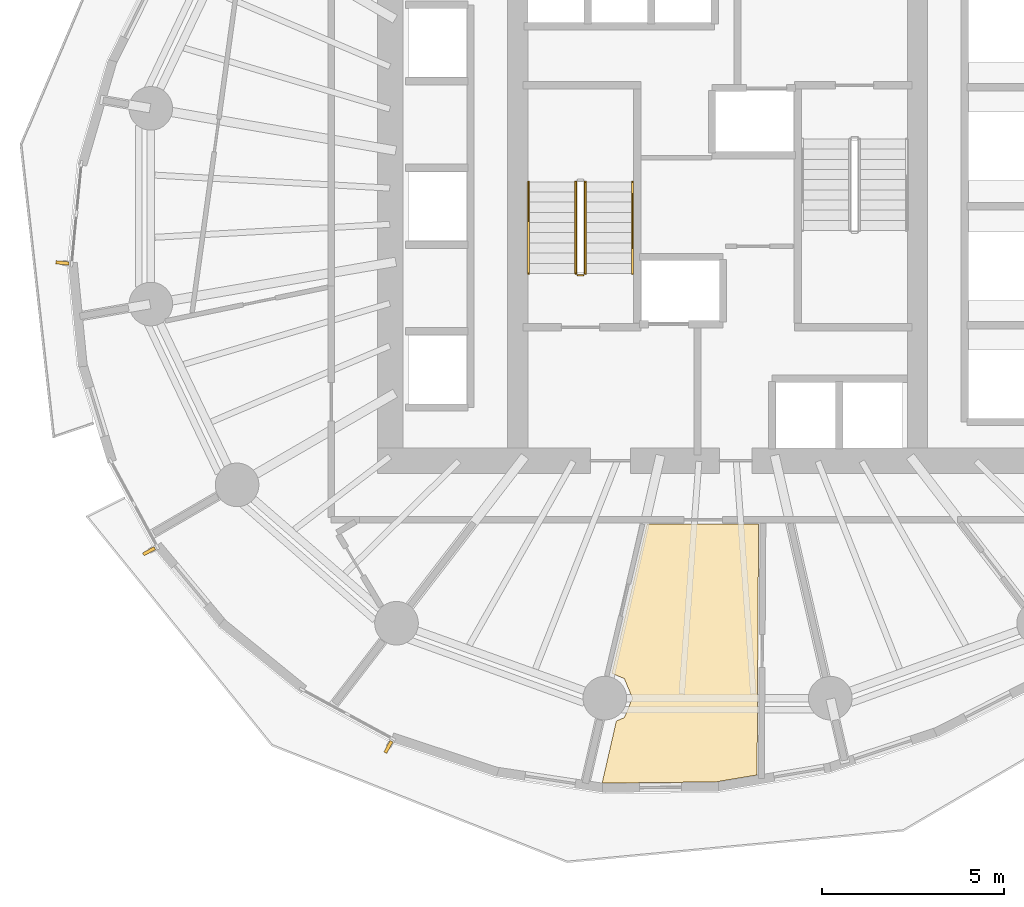
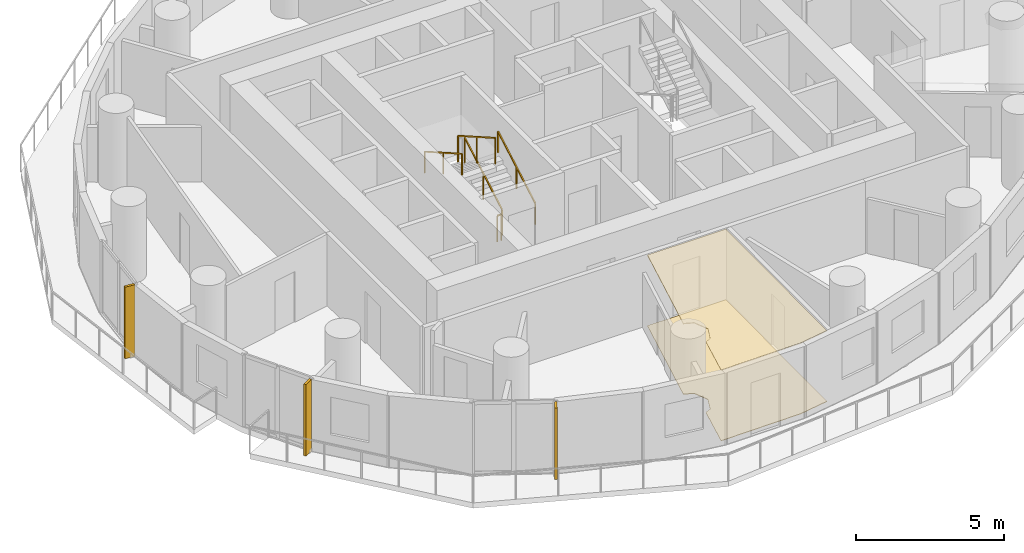
# One storey, part 11 of 14: 5 railings, 3 shading devices, 2 coverings.
"""IFC4 building model written with IfcOpenShell, lengths in metres."""

from ifc_helpers import new_model, si_unit, direction, frame, origin, origin_2d, place, context, subcontext, project, spatial, polyline, rectangle, outline, extrude, material, layer, layer_set, type_object, element, save


model = new_model("IFC4")

# Units and contexts
model_context = context("Model", 3, precision=1e-05, world=origin(), true_north=direction((0.0, 1.0)))
body_context = subcontext(model_context, "Body", "Model", "MODEL_VIEW")
ifc_project = project(units=[si_unit("LENGTHUNIT", "METRE"), si_unit("AREAUNIT", "SQUARE_METRE"), si_unit("VOLUMEUNIT", "CUBIC_METRE"), si_unit("PLANEANGLEUNIT", "RADIAN"), si_unit("MASSUNIT", "GRAM", prefix="KILO")], contexts=[model_context])

# Site, building, storey
site_placement = place(None, origin())
site = spatial("IfcSite", under=ifc_project, at=site_placement, CompositionType="ELEMENT")
building_placement = place(site_placement, origin())
building = spatial("IfcBuilding", under=site, at=building_placement, Name="Veldorim Arch Residences", CompositionType="ELEMENT")
storey_placement = place(building_placement, frame((0.0, 0.0, 96.47998046875)))
storey = spatial("IfcBuildingStorey", under=building, at=storey_placement, Name="L28", CompositionType="ELEMENT", Elevation=96.47998046875)

# Railings
ifc_material_1 = material(Name="Steel S355", Category="steel")
railing_type_1 = type_object("IfcRailingType", Name="Galvanised Steel Stair Safety Guardrail 1100", PredefinedType="GUARDRAIL", material=ifc_material_1)
railing_1_placement = place(storey_placement, frame((28.360107421875, 22.14990234375, 0.159912109375)))
element("IfcRailing", 1, at=railing_1_placement, inside=storey, type_object=railing_type_1, Name="L28 ST-1 stair guard 1", PredefinedType="GUARDRAIL", context=body_context, shape_type="SweptSolid", body=[
    extrude(rectangle(XDim=0.048095703125, YDim=0.048095703125, at=origin_2d()), frame((0.0, 0.0, 1.076171875), z_axis=(0.0, 0.868217259934, 0.496184229447), x_axis=(-1.0, 0.0, 0.0)), (0.0, 0.0, 1.0), 2.902587890625),
    extrude(rectangle(XDim=0.0419921875, YDim=0.0419921875, at=origin_2d()), origin(), (0.0, 0.0, 1.0), 1.052001953125),
    extrude(rectangle(XDim=0.0419921875, YDim=0.0419921875, at=origin_2d()), frame((0.0, 1.260009765625, 0.72021484375)), (0.0, 0.0, 1.0), 1.052001953125),
    extrude(rectangle(XDim=0.0419921875, YDim=0.0419921875, at=origin_2d()), frame((0.0, 2.52001953125, 1.440185546875)), (0.0, 0.0, 1.0), 1.052001953125),
])
railing_2_placement = place(storey_placement, frame((28.10009765625, 24.669921875, 1.760009765625)))
element("IfcRailing", 2, at=railing_2_placement, inside=storey, type_object=railing_type_1, Name="L28 ST-1 stair guard 3", PredefinedType="GUARDRAIL", context=body_context, shape_type="SweptSolid", body=[
    extrude(rectangle(XDim=0.048095703125, YDim=0.048095703125, at=origin_2d()), frame((0.0, 0.0, 1.076171875), z_axis=(0.0, -0.868253494771, 0.496120820787), x_axis=(1.0, 0.0, 0.0)), (0.0, 0.0, 1.0), 2.90234375),
    extrude(rectangle(XDim=0.0419921875, YDim=0.0419921875, at=origin_2d()), origin(), (0.0, 0.0, 1.0), 1.052001953125),
    extrude(rectangle(XDim=0.0419921875, YDim=0.0419921875, at=origin_2d()), frame((0.0, -1.260009765625, 0.719970703125)), (0.0, 0.0, 1.0), 1.052001953125),
    extrude(rectangle(XDim=0.0419921875, YDim=0.0419921875, at=origin_2d()), frame((0.0, -2.52001953125, 1.43994140625)), (0.0, 0.0, 1.0), 1.052001953125),
])
railing_3_placement = place(storey_placement, frame((28.31005859375, 22.10009765625, 0.0)))
element("IfcRailing", 3, at=railing_3_placement, inside=storey, type_object=railing_type_1, Name="L28 ST-1 stair guard 4", PredefinedType="GUARDRAIL", context=body_context, shape_type="SweptSolid", body=[
    extrude(rectangle(XDim=0.048095703125, YDim=0.048095703125, at=origin_2d()), frame((0.0, 0.0, 1.076171875), z_axis=(-1.0, 0.0, 0.0), x_axis=(0.0, -1.0, 0.0)), (0.0, 0.0, 1.0), 0.16015625),
    extrude(rectangle(XDim=0.0419921875, YDim=0.0419921875, at=origin_2d()), origin(), (0.0, 0.0, 1.0), 1.052001953125),
    extrude(rectangle(XDim=0.0419921875, YDim=0.0419921875, at=origin_2d()), frame((-0.16015625, 0.0, 0.0)), (0.0, 0.0, 1.0), 1.052001953125),
])

# Coverings
ifc_material_2 = material(Name="Acoustic Gypsum & Mineral Fibre", Category="gypsum")
ifc_layer_1 = layer(ifc_material_2, 0.034912109375, Name="Perforated Acoustic Mineral-Fibre Ceiling 35")
ifc_layer_set_1 = layer_set([ifc_layer_1], Name="Acoustic Gypsum & Mineral Fibre")
covering_type_1 = type_object("IfcCoveringType", Name="Perforated Acoustic Mineral-Fibre Ceiling 35", PredefinedType="CEILING", material=ifc_layer_set_1)
covering_1_placement = place(storey_placement, frame((0.0, 0.0, 2.905029296875)))
element("IfcCovering", 4, at=covering_1_placement, inside=storey, type_object=covering_type_1, Name="L28 acoustic suspended ceiling 01", PredefinedType="CEILING", context=body_context, shape_type="SweptSolid", body=[
    extrude(outline(polyline([(28.826171875, 8.13720703125), (29.2158203125, 9.8369140625), (29.435302734375, 9.927978515625), (29.657958984375, 10.465087890625), (29.435302734375, 11.00244140625), (29.09130859375, 11.14501953125), (30.0595703125, 15.25), (33.12841796875, 15.25), (33.086669921875, 8.35107421875), (31.958251953125, 8.16064453125), (28.897705078125, 8.126220703125), (28.826171875, 8.13720703125)])), origin(), (0.0, 0.0, 1.0), 0.034912109375),
])
ifc_material_3 = material(Name="Porcelain Ceramic Tile", Category="ceramic")
ifc_layer_2 = layer(ifc_material_3, 0.02001953125, Name="Slip-Resistant Porcelain & Vinyl Floor Finish 20")
ifc_layer_set_2 = layer_set([ifc_layer_2], Name="Porcelain Ceramic Tile")
covering_type_2 = type_object("IfcCoveringType", Name="Slip-Resistant Porcelain & Vinyl Floor Finish 20", PredefinedType="FLOORING", material=ifc_layer_set_2)
covering_2_placement = place(storey_placement, origin())
element("IfcCovering", 5, at=covering_2_placement, inside=storey, type_object=covering_type_2, Name="L28 porcelain floor finish 01", PredefinedType="FLOORING", context=body_context, shape_type="SweptSolid", body=[
    extrude(outline(polyline([(28.826171875, 8.13720703125), (29.2158203125, 9.8369140625), (29.435302734375, 9.927978515625), (29.657958984375, 10.465087890625), (29.435302734375, 11.00244140625), (29.09130859375, 11.14501953125), (30.0595703125, 15.25), (33.12841796875, 15.25), (33.086669921875, 8.35107421875), (31.958251953125, 8.16064453125), (28.897705078125, 8.126220703125), (28.826171875, 8.13720703125)])), origin(), (0.0, 0.0, 1.0), 0.02001953125),
])

# Railings
ifc_material_4 = material(Name="Stainless Steel", Category="steel")
railing_type_2 = type_object("IfcRailingType", Name="Tubular Steel Continuous Wall Handrail 900", PredefinedType="HANDRAIL", material=ifc_material_4)
railing_4_placement = place(storey_placement, frame((29.659912109375, 22.14990234375, 0.159912109375)))
element("IfcRailing", 6, at=railing_4_placement, inside=storey, type_object=railing_type_2, Name="L28 ST-1 stair handrail 1", PredefinedType="HANDRAIL", context=body_context, shape_type="SweptSolid", body=[
    extrude(rectangle(XDim=0.048095703125, YDim=0.048095703125, at=origin_2d()), frame((0.0, 0.0, 0.8759765625), z_axis=(0.0, 0.868217259934, 0.496184229447), x_axis=(-1.0, 0.0, 0.0)), (0.0, 0.0, 1.0), 2.902587890625),
    extrude(rectangle(XDim=0.0419921875, YDim=0.0419921875, at=origin_2d()), origin(), (0.0, 0.0, 1.0), 0.851806640625),
    extrude(rectangle(XDim=0.0419921875, YDim=0.0419921875, at=origin_2d()), frame((0.0, 1.260009765625, 0.72021484375)), (0.0, 0.0, 1.0), 0.851806640625),
    extrude(rectangle(XDim=0.0419921875, YDim=0.0419921875, at=origin_2d()), frame((0.0, 2.52001953125, 1.440185546875)), (0.0, 0.0, 1.0), 0.851806640625),
])
railing_5_placement = place(storey_placement, frame((26.800048828125, 24.669921875, 1.760009765625)))
element("IfcRailing", 7, at=railing_5_placement, inside=storey, type_object=railing_type_2, Name="L28 ST-1 stair handrail 2", PredefinedType="HANDRAIL", context=body_context, shape_type="SweptSolid", body=[
    extrude(rectangle(XDim=0.048095703125, YDim=0.048095703125, at=origin_2d()), frame((0.0, 0.0, 0.8759765625), z_axis=(0.0, -0.868253494771, 0.496120820787), x_axis=(1.0, 0.0, 0.0)), (0.0, 0.0, 1.0), 2.90234375),
    extrude(rectangle(XDim=0.0419921875, YDim=0.0419921875, at=origin_2d()), origin(), (0.0, 0.0, 1.0), 0.851806640625),
    extrude(rectangle(XDim=0.0419921875, YDim=0.0419921875, at=origin_2d()), frame((0.0, -1.260009765625, 0.719970703125)), (0.0, 0.0, 1.0), 0.851806640625),
    extrude(rectangle(XDim=0.0419921875, YDim=0.0419921875, at=origin_2d()), frame((0.0, -2.52001953125, 1.43994140625)), (0.0, 0.0, 1.0), 0.851806640625),
])

# Shading devices
ifc_material_5 = material(Name="Terracotta Ceramic", Category="masonry")
ifc_layer_3 = layer(ifc_material_5, 0.090087890625, Name="Vertical Extruded Terracotta Baguette Sun-Shading Fin")
ifc_layer_set_3 = layer_set([ifc_layer_3], Name="Terracotta Ceramic")
shading_device_type = type_object("IfcShadingDeviceType", Name="Vertical Extruded Terracotta Baguette Sun-Shading Fin", PredefinedType="USERDEFINED", material=ifc_layer_set_3)
for number, where, z_axis, x_axis, name in (
    (8, (13.972900390625, 22.440185546875, 0.0), (0.0, 0.0, 1.0), (0.096888076238, 0.995295283161, 0.0), "L28 vertical terracotta sun-shading fin 16"),
    (9, (16.357666015625, 14.50634765625, 0.0), (0.0, 0.0, 1.0), (-0.476084726767, 0.879399416044, 0.0), "L28 vertical terracotta sun-shading fin 19"),
    (10, (22.943603515625, 9.12158203125, 0.0), (0.0, 0.0, 1.0), (-0.879399416044, 0.476084726767, 0.0), "L28 vertical terracotta sun-shading fin 22"),
):
    element("IfcShadingDevice", number, at=place(storey_placement, frame(where, z_axis=z_axis, x_axis=x_axis)), inside=storey, type_object=shading_device_type, Name=name, ObjectType="FIN", PredefinedType="USERDEFINED", context=body_context, shape_type="SweptSolid", body=[
        extrude(rectangle(XDim=0.090087890625, YDim=0.360107421875, at=origin_2d()), origin(), (0.0, 0.0, 1.0), 2.9599609375),
    ])

save(model, "model.ifc")
